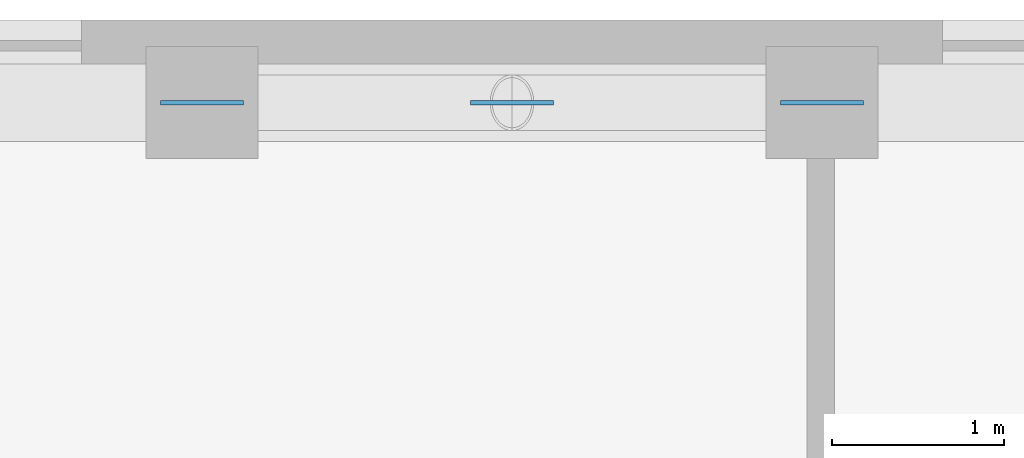
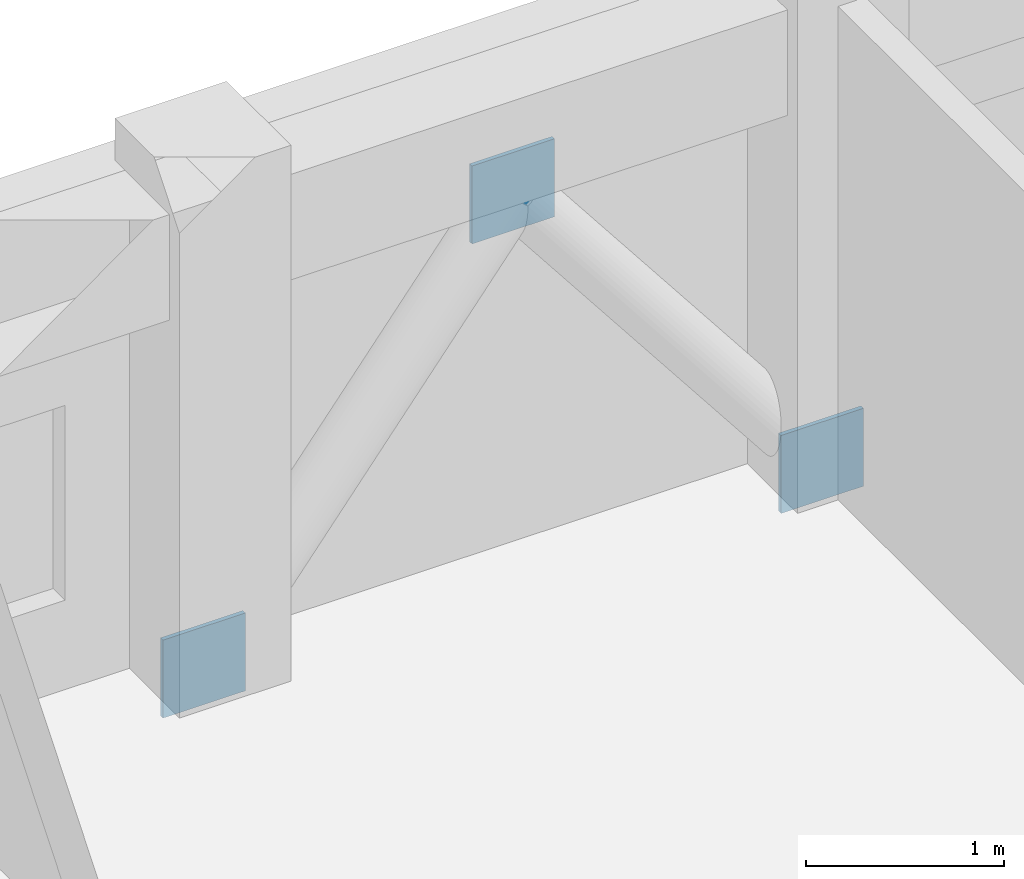
# One storey, part 9 of 11: 3 discrete accessories.
"""IFC4 building model written with IfcOpenShell, lengths in metres."""

import ifcopenshell
import ifcopenshell.guid

model = None  # the IFC model being written
_history = None  # IfcOwnerHistory: only IFC2X3 demands one
_inside = {}  # id of a spatial element -> (the spatial element, [elements in it])
_under = {}  # id of a project, library or spatial element -> (it, [spatial elements below it])
_declared = {}  # id of a project -> (the project, [libraries it declares])
_typed = {}  # id of a type object -> (the type object, [elements of that type])
_made_of = {}  # id of a material, layer set ... -> (it, [elements and type objects made of it])


def new_model(schema):
    """Start an empty IFC model of exactly this schema.

    Asked for "IFC4X3", IfcOpenShell would pick the latest addendum, in which some entities
    have other attributes; the version numbers below select the first issue.
    IFC2X3 requires an IfcOwnerHistory on every rooted entity: one is made here for all.
    """
    global model, _history
    if schema == "IFC4X3":
        model = ifcopenshell.file(schema_version=(4, 3, 0, 0))
    else:
        model = ifcopenshell.file(schema=schema)
    _inside.clear()
    _under.clear()
    _declared.clear()
    _typed.clear()
    _made_of.clear()
    _history = None
    if model.schema == "IFC2X3":
        org = make("IfcOrganization", Name="unknown")
        user = make(
            "IfcPersonAndOrganization",
            ThePerson=make("IfcPerson", FamilyName="unknown"),
            TheOrganization=org,
        )
        app = make(
            "IfcApplication",
            ApplicationDeveloper=org,
            Version="unknown",
            ApplicationFullName="unknown",
            ApplicationIdentifier="unknown",
        )
        _history = make(
            "IfcOwnerHistory",
            OwningUser=user,
            OwningApplication=app,
            ChangeAction="ADDED",
            CreationDate=0,
        )
    return model


def make(cls, **values):
    """One entity of the class cls with the attributes given. An attribute that is None is left unset."""
    return model.create_entity(
        cls, **{name: value for name, value in values.items() if value is not None}
    )


def rooted(cls, **values):
    """An entity with a GlobalId (a new one), such as an element, a storey or a relation."""
    return make(cls, GlobalId=ifcopenshell.guid.new(), OwnerHistory=_history, **values)


def si_unit(unit_type, name, prefix=None):
    """IfcSIUnit, for example si_unit("LENGTHUNIT", "METRE", prefix="MILLI")."""
    return make("IfcSIUnit", UnitType=unit_type, Prefix=prefix, Name=name)


def derived_unit(unit_type, elements):
    """IfcDerivedUnit: a product of units, each with its exponent."""
    return make(
        "IfcDerivedUnit",
        Elements=[
            make("IfcDerivedUnitElement", Unit=unit, Exponent=power)
            for unit, power in elements
        ],
        UnitType=unit_type,
    )


def assignment(units):
    """IfcUnitAssignment: the units of a project."""
    return None if units is None else make("IfcUnitAssignment", Units=units)


def point(xyz):
    """IfcCartesianPoint."""
    return None if xyz is None else make("IfcCartesianPoint", Coordinates=xyz)


def direction(xyz):
    """IfcDirection."""
    return None if xyz is None else make("IfcDirection", DirectionRatios=xyz)


def frame(location, z_axis=None, x_axis=None):
    """IfcAxis2Placement3D, a coordinate frame: its origin and axes. An axis left out is left unset."""
    return make(
        "IfcAxis2Placement3D",
        Location=point(location),
        Axis=direction(z_axis),
        RefDirection=direction(x_axis),
    )


def frame_2d(location, x_axis=None):
    """IfcAxis2Placement2D, a coordinate frame in the plane: its origin and x axis."""
    return make(
        "IfcAxis2Placement2D", Location=point(location), RefDirection=direction(x_axis)
    )


def origin():
    """The frame at (0, 0, 0) with its axes left unset."""
    return frame((0.0, 0.0, 0.0))


def origin_2d():
    """The frame at (0, 0) in the plane with its x axis left unset."""
    return frame_2d((0.0, 0.0))


def place(relative_to, where):
    """IfcLocalPlacement: puts the frame where relative to a parent placement (None: the world)."""
    return make(
        "IfcLocalPlacement", PlacementRelTo=relative_to, RelativePlacement=where
    )


def context(
    kind, dimensions, precision=None, world=None, true_north=None, identifier=None
):
    """IfcGeometricRepresentationContext, for example the 3D "Model" context."""
    return make(
        "IfcGeometricRepresentationContext",
        ContextIdentifier=identifier,
        ContextType=kind,
        CoordinateSpaceDimension=dimensions,
        Precision=precision,
        WorldCoordinateSystem=world,
        TrueNorth=true_north,
    )


def subcontext(parent, identifier, kind, view, scale=None):
    """IfcGeometricRepresentationSubContext, for example "Body" below "Model"."""
    return make(
        "IfcGeometricRepresentationSubContext",
        ContextIdentifier=identifier,
        ContextType=kind,
        ParentContext=parent,
        TargetScale=scale,
        TargetView=view,
    )


def project(units=None, contexts=None):
    """IfcProject with its units and contexts."""
    return rooted(
        "IfcProject",
        Name="project",
        RepresentationContexts=contexts,
        UnitsInContext=assignment(units),
    )


def spatial(cls, under=None, at=None, **own):
    """A site, building, storey or space (cls), placed at a placement, below another one or the project."""
    s = rooted(cls, ObjectPlacement=at, **own)
    if under is not None:
        _under.setdefault(under.id(), (under, []))[1].append(s)
    return s


def profile(cls, at=None, kind="AREA", **sizes):
    """A parametric profile (cls). Its sizes go by their IFC names, for example OverallWidth=200.0."""
    return make(cls, ProfileType=kind, Position=at, **sizes)


def rectangle(**sizes):
    """IfcRectangleProfileDef."""
    return profile("IfcRectangleProfileDef", **sizes)


def extrude(swept, where, along, depth):
    """IfcExtrudedAreaSolid: the profile swept, set in the frame where, extruded along a direction by depth."""
    return make(
        "IfcExtrudedAreaSolid",
        SweptArea=swept,
        Position=where,
        ExtrudedDirection=direction(along),
        Depth=depth,
    )


def shape(context_of_items, identifier, shape_type, items):
    """IfcShapeRepresentation: the items that make up one representation, for example the "Body"."""
    return make(
        "IfcShapeRepresentation",
        ContextOfItems=context_of_items,
        RepresentationIdentifier=identifier,
        RepresentationType=shape_type,
        Items=items,
    )


def material(Name=None, Category=None):
    """IfcMaterial."""
    return make("IfcMaterial", Name=Name, Category=Category)


def layer(
    of_material, thickness, ventilated=None, Name=None, Category=None, Priority=None
):
    """IfcMaterialLayer: one layer of a wall or slab, of a material (None: an air gap)."""
    return make(
        "IfcMaterialLayer",
        Material=of_material,
        LayerThickness=thickness,
        IsVentilated=ventilated,
        Name=Name,
        Category=Category,
        Priority=Priority,
    )


def layer_set(layers, Name=None):
    """IfcMaterialLayerSet."""
    return make("IfcMaterialLayerSet", MaterialLayers=layers, LayerSetName=Name)


def made_of(thing, what):
    """Note that an element or type object is made of a material, layer set ...; save() writes the relation."""
    if what is not None:
        _made_of.setdefault(what.id(), (what, []))[1].append(thing)
    return thing


def type_object(cls, material=None, **own):
    """A type object (cls), such as IfcWallType, which elements share."""
    return made_of(rooted(cls, **own), material)


def element(
    cls,
    number,
    at=None,
    inside=None,
    cuts=None,
    type_object=None,
    material=None,
    context=None,
    identifier="Body",
    shape_type=None,
    held_by="IfcProductDefinitionShape",
    body=None,
    shapes=None,
    **own,
):
    """One element of the class cls, such as IfcWall. Its Tag is "e" and its number.

    at: its placement. inside: the storey or other place that contains it. cuts: it is an
    opening in that element (IfcRelVoidsElement). A single representation is given by context,
    identifier, shape_type and body (its items); several are given by shapes. held_by: the class
    of the entity that holds the representations. save() writes the other relations.
    """
    e = rooted(cls, Tag="e%d" % number, ObjectPlacement=at, **own)
    if body is not None:
        shapes = [shape(context, identifier, shape_type, body)]
    if shapes is not None:
        e.Representation = make(held_by, Representations=shapes)
    if inside is not None:
        _inside.setdefault(inside.id(), (inside, []))[1].append(e)
    if cuts is not None:
        rooted(
            "IfcRelVoidsElement", RelatingBuildingElement=cuts, RelatedOpeningElement=e
        )
    if type_object is not None:
        _typed.setdefault(type_object.id(), (type_object, []))[1].append(e)
    return made_of(e, material)


def aggregate(whole, parts):
    """IfcRelAggregates: a whole, such as a stair, and the parts it consists of."""
    return rooted("IfcRelAggregates", RelatingObject=whole, RelatedObjects=parts)


def save(model, path):
    """Write the relations noted so far, then the file.

    IfcRelAggregates (storeys below a building ...), IfcRelContainedInSpatialStructure (elements
    in a storey), IfcRelDefinesByType, IfcRelAssociatesMaterial and IfcRelDeclares: one each for
    every whole, place, type object, material and project.
    """
    for whole, parts in _under.values():
        aggregate(whole, parts)
    for where, things in _inside.values():
        rooted(
            "IfcRelContainedInSpatialStructure",
            RelatedElements=things,
            RelatingStructure=where,
        )
    for kind, things in _typed.values():
        rooted("IfcRelDefinesByType", RelatedObjects=things, RelatingType=kind)
    for what, things in _made_of.values():
        rooted("IfcRelAssociatesMaterial", RelatedObjects=things, RelatingMaterial=what)
    for by, libraries in _declared.values():
        rooted("IfcRelDeclares", RelatingContext=by, RelatedDefinitions=libraries)
    model.write(path)


model = new_model("IFC4")

# Units and contexts
model_context = context("Model", 3, precision=1e-05, world=origin(), true_north=direction((0.0, 1.0)))
body_context = subcontext(model_context, "Body", "Model", "MODEL_VIEW")
ifc_project = project(units=[si_unit("LENGTHUNIT", "METRE"), si_unit("AREAUNIT", "SQUARE_METRE"), si_unit("VOLUMEUNIT", "CUBIC_METRE"), si_unit("PLANEANGLEUNIT", "RADIAN"), si_unit("MASSUNIT", "GRAM", prefix="KILO"), derived_unit("THERMALTRANSMITTANCEUNIT", [(si_unit("MASSUNIT", "GRAM", prefix="KILO"), 1), (si_unit("TIMEUNIT", "SECOND"), -3), (si_unit("THERMODYNAMICTEMPERATUREUNIT", "KELVIN"), -1)])], contexts=[model_context])

# Site, building, storey
site_placement = place(None, origin())
site = spatial("IfcSite", under=ifc_project, at=site_placement, CompositionType="ELEMENT")
building_placement = place(site_placement, origin())
building = spatial("IfcBuilding", under=site, at=building_placement, Name="Korrvale Station Residences", CompositionType="ELEMENT")
storey_placement = place(building_placement, frame((0.0, 0.0, 187.60009765625)))
storey = spatial("IfcBuildingStorey", under=building, at=storey_placement, Name="L54", CompositionType="ELEMENT", Elevation=187.60009765625)

# Discrete accessories
ifc_material = material(Name="Steel S355", Category="steel")
ifc_layer = layer(ifc_material, 0.02490234375, Name="Steel S355")
ifc_layer_set = layer_set([ifc_layer], Name="Steel S355")
discrete_accessory_type = type_object("IfcDiscreteAccessoryType", Name="ACC-GUSSET-25", PredefinedType="BRACKET", material=ifc_layer_set)
for number, where, z_axis, x_axis, name in (
    (1, (23.199951171875, 39.719970703125, -0.219970703125), (0.0, 0.0, 1.0), (1.0, 0.0, 0.0), "L54 N Brace End Gusset Connection A"),
    (2, (26.800048828125, 39.719970703125, -0.219970703125), (0.0, 0.0, 1.0), (1.0, 0.0, 0.0), "L54 N Brace End Gusset Connection B"),
    (3, (25.0, 39.719970703125, 2.06982421875), (0.0, 0.0, 1.0), (1.0, 0.0, 0.0), "L54 N Brace End Gusset Connection M"),
):
    element("IfcDiscreteAccessory", number, at=place(storey_placement, frame(where, z_axis=z_axis, x_axis=x_axis)), inside=storey, type_object=discrete_accessory_type, Name=name, PredefinedType="BRACKET", context=body_context, shape_type="SweptSolid", body=[
        extrude(rectangle(XDim=0.47998046875, YDim=0.02490234375, at=origin_2d()), origin(), (0.0, 0.0, 1.0), 0.47998046875),
    ])

save(model, "model.ifc")
